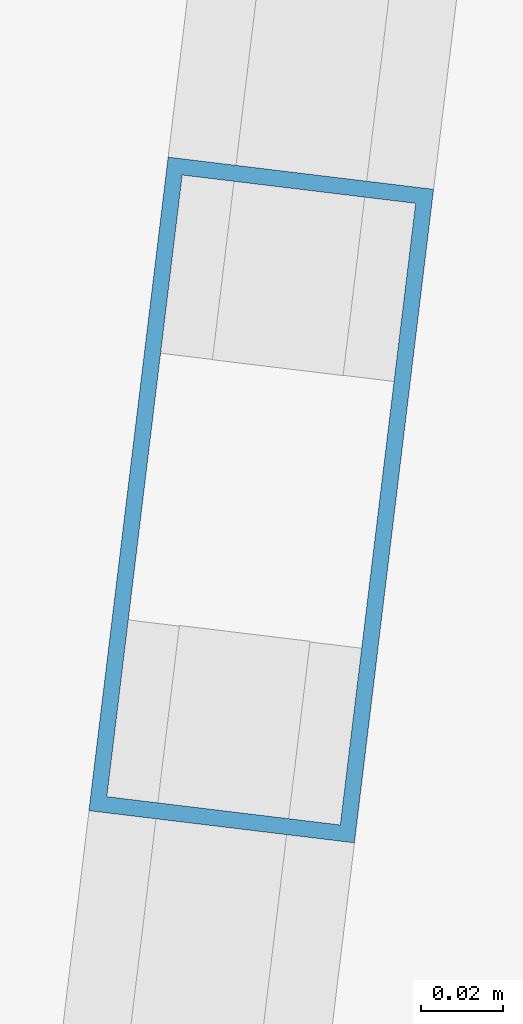
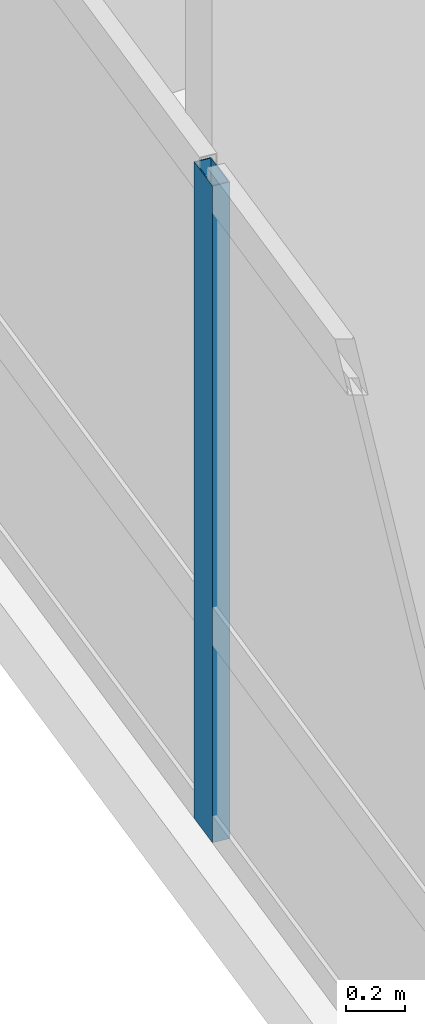
# One storey, part 4 of 26: 1 member, 1 element without a shape of its own.
"""IFC4 building model written with IfcOpenShell, lengths in metres."""

import ifcopenshell
import ifcopenshell.guid

model = None  # the IFC model being written
_history = None  # IfcOwnerHistory: only IFC2X3 demands one
_inside = {}  # id of a spatial element -> (the spatial element, [elements in it])
_under = {}  # id of a project, library or spatial element -> (it, [spatial elements below it])
_declared = {}  # id of a project -> (the project, [libraries it declares])
_typed = {}  # id of a type object -> (the type object, [elements of that type])
_made_of = {}  # id of a material, layer set ... -> (it, [elements and type objects made of it])


def new_model(schema):
    """Start an empty IFC model of exactly this schema.

    Asked for "IFC4X3", IfcOpenShell would pick the latest addendum, in which some entities
    have other attributes; the version numbers below select the first issue.
    IFC2X3 requires an IfcOwnerHistory on every rooted entity: one is made here for all.
    """
    global model, _history
    if schema == "IFC4X3":
        model = ifcopenshell.file(schema_version=(4, 3, 0, 0))
    else:
        model = ifcopenshell.file(schema=schema)
    _inside.clear()
    _under.clear()
    _declared.clear()
    _typed.clear()
    _made_of.clear()
    _history = None
    if model.schema == "IFC2X3":
        org = make("IfcOrganization", Name="unknown")
        user = make(
            "IfcPersonAndOrganization",
            ThePerson=make("IfcPerson", FamilyName="unknown"),
            TheOrganization=org,
        )
        app = make(
            "IfcApplication",
            ApplicationDeveloper=org,
            Version="unknown",
            ApplicationFullName="unknown",
            ApplicationIdentifier="unknown",
        )
        _history = make(
            "IfcOwnerHistory",
            OwningUser=user,
            OwningApplication=app,
            ChangeAction="ADDED",
            CreationDate=0,
        )
    return model


def make(cls, **values):
    """One entity of the class cls with the attributes given. An attribute that is None is left unset."""
    return model.create_entity(
        cls, **{name: value for name, value in values.items() if value is not None}
    )


def rooted(cls, **values):
    """An entity with a GlobalId (a new one), such as an element, a storey or a relation."""
    return make(cls, GlobalId=ifcopenshell.guid.new(), OwnerHistory=_history, **values)


def si_unit(unit_type, name, prefix=None):
    """IfcSIUnit, for example si_unit("LENGTHUNIT", "METRE", prefix="MILLI")."""
    return make("IfcSIUnit", UnitType=unit_type, Prefix=prefix, Name=name)


def assignment(units):
    """IfcUnitAssignment: the units of a project."""
    return None if units is None else make("IfcUnitAssignment", Units=units)


def point(xyz):
    """IfcCartesianPoint."""
    return None if xyz is None else make("IfcCartesianPoint", Coordinates=xyz)


def direction(xyz):
    """IfcDirection."""
    return None if xyz is None else make("IfcDirection", DirectionRatios=xyz)


def frame(location, z_axis=None, x_axis=None):
    """IfcAxis2Placement3D, a coordinate frame: its origin and axes. An axis left out is left unset."""
    return make(
        "IfcAxis2Placement3D",
        Location=point(location),
        Axis=direction(z_axis),
        RefDirection=direction(x_axis),
    )


def frame_2d(location, x_axis=None):
    """IfcAxis2Placement2D, a coordinate frame in the plane: its origin and x axis."""
    return make(
        "IfcAxis2Placement2D", Location=point(location), RefDirection=direction(x_axis)
    )


def origin():
    """The frame at (0, 0, 0) with its axes left unset."""
    return frame((0.0, 0.0, 0.0))


def origin_2d():
    """The frame at (0, 0) in the plane with its x axis left unset."""
    return frame_2d((0.0, 0.0))


def place(relative_to, where):
    """IfcLocalPlacement: puts the frame where relative to a parent placement (None: the world)."""
    return make(
        "IfcLocalPlacement", PlacementRelTo=relative_to, RelativePlacement=where
    )


def context(
    kind, dimensions, precision=None, world=None, true_north=None, identifier=None
):
    """IfcGeometricRepresentationContext, for example the 3D "Model" context."""
    return make(
        "IfcGeometricRepresentationContext",
        ContextIdentifier=identifier,
        ContextType=kind,
        CoordinateSpaceDimension=dimensions,
        Precision=precision,
        WorldCoordinateSystem=world,
        TrueNorth=true_north,
    )


def subcontext(parent, identifier, kind, view, scale=None):
    """IfcGeometricRepresentationSubContext, for example "Body" below "Model"."""
    return make(
        "IfcGeometricRepresentationSubContext",
        ContextIdentifier=identifier,
        ContextType=kind,
        ParentContext=parent,
        TargetScale=scale,
        TargetView=view,
    )


def project(units=None, contexts=None):
    """IfcProject with its units and contexts."""
    return rooted(
        "IfcProject",
        Name="project",
        RepresentationContexts=contexts,
        UnitsInContext=assignment(units),
    )


def spatial(cls, under=None, at=None, **own):
    """A site, building, storey or space (cls), placed at a placement, below another one or the project."""
    s = rooted(cls, ObjectPlacement=at, **own)
    if under is not None:
        _under.setdefault(under.id(), (under, []))[1].append(s)
    return s


def profile(cls, at=None, kind="AREA", **sizes):
    """A parametric profile (cls). Its sizes go by their IFC names, for example OverallWidth=200.0."""
    return make(cls, ProfileType=kind, Position=at, **sizes)


def hollow_rectangle(**sizes):
    """IfcRectangleHollowProfileDef."""
    return profile("IfcRectangleHollowProfileDef", **sizes)


def extrude(swept, where, along, depth):
    """IfcExtrudedAreaSolid: the profile swept, set in the frame where, extruded along a direction by depth."""
    return make(
        "IfcExtrudedAreaSolid",
        SweptArea=swept,
        Position=where,
        ExtrudedDirection=direction(along),
        Depth=depth,
    )


def shape(context_of_items, identifier, shape_type, items):
    """IfcShapeRepresentation: the items that make up one representation, for example the "Body"."""
    return make(
        "IfcShapeRepresentation",
        ContextOfItems=context_of_items,
        RepresentationIdentifier=identifier,
        RepresentationType=shape_type,
        Items=items,
    )


def material(Name=None, Category=None):
    """IfcMaterial."""
    return make("IfcMaterial", Name=Name, Category=Category)


def layer(
    of_material, thickness, ventilated=None, Name=None, Category=None, Priority=None
):
    """IfcMaterialLayer: one layer of a wall or slab, of a material (None: an air gap)."""
    return make(
        "IfcMaterialLayer",
        Material=of_material,
        LayerThickness=thickness,
        IsVentilated=ventilated,
        Name=Name,
        Category=Category,
        Priority=Priority,
    )


def layer_set(layers, Name=None):
    """IfcMaterialLayerSet."""
    return make("IfcMaterialLayerSet", MaterialLayers=layers, LayerSetName=Name)


def material_profile(
    of_material, cross_section, Name=None, Category=None, Priority=None
):
    """IfcMaterialProfile: a cross section and its material."""
    return make(
        "IfcMaterialProfile",
        Name=Name,
        Material=of_material,
        Profile=cross_section,
        Priority=Priority,
        Category=Category,
    )


def profile_set(profiles, Name=None, composite=None):
    """IfcMaterialProfileSet."""
    return make(
        "IfcMaterialProfileSet",
        Name=Name,
        MaterialProfiles=profiles,
        CompositeProfile=composite,
    )


def made_of(thing, what):
    """Note that an element or type object is made of a material, layer set ...; save() writes the relation."""
    if what is not None:
        _made_of.setdefault(what.id(), (what, []))[1].append(thing)
    return thing


def type_object(cls, material=None, **own):
    """A type object (cls), such as IfcWallType, which elements share."""
    return made_of(rooted(cls, **own), material)


def element(
    cls,
    number,
    at=None,
    inside=None,
    cuts=None,
    type_object=None,
    material=None,
    context=None,
    identifier="Body",
    shape_type=None,
    held_by="IfcProductDefinitionShape",
    body=None,
    shapes=None,
    **own,
):
    """One element of the class cls, such as IfcWall. Its Tag is "e" and its number.

    at: its placement. inside: the storey or other place that contains it. cuts: it is an
    opening in that element (IfcRelVoidsElement). A single representation is given by context,
    identifier, shape_type and body (its items); several are given by shapes. held_by: the class
    of the entity that holds the representations. save() writes the other relations.
    """
    e = rooted(cls, Tag="e%d" % number, ObjectPlacement=at, **own)
    if body is not None:
        shapes = [shape(context, identifier, shape_type, body)]
    if shapes is not None:
        e.Representation = make(held_by, Representations=shapes)
    if inside is not None:
        _inside.setdefault(inside.id(), (inside, []))[1].append(e)
    if cuts is not None:
        rooted(
            "IfcRelVoidsElement", RelatingBuildingElement=cuts, RelatedOpeningElement=e
        )
    if type_object is not None:
        _typed.setdefault(type_object.id(), (type_object, []))[1].append(e)
    return made_of(e, material)


def aggregate(whole, parts):
    """IfcRelAggregates: a whole, such as a stair, and the parts it consists of."""
    return rooted("IfcRelAggregates", RelatingObject=whole, RelatedObjects=parts)


def save(model, path):
    """Write the relations noted so far, then the file.

    IfcRelAggregates (storeys below a building ...), IfcRelContainedInSpatialStructure (elements
    in a storey), IfcRelDefinesByType, IfcRelAssociatesMaterial and IfcRelDeclares: one each for
    every whole, place, type object, material and project.
    """
    for whole, parts in _under.values():
        aggregate(whole, parts)
    for where, things in _inside.values():
        rooted(
            "IfcRelContainedInSpatialStructure",
            RelatedElements=things,
            RelatingStructure=where,
        )
    for kind, things in _typed.values():
        rooted("IfcRelDefinesByType", RelatedObjects=things, RelatingType=kind)
    for what, things in _made_of.values():
        rooted("IfcRelAssociatesMaterial", RelatedObjects=things, RelatingMaterial=what)
    for by, libraries in _declared.values():
        rooted("IfcRelDeclares", RelatingContext=by, RelatedDefinitions=libraries)
    model.write(path)


model = new_model("IFC4")

# Units and contexts
model_context = context("Model", 3, precision=1e-05, world=origin(), true_north=direction((0.0, 1.0)))
body_context = subcontext(model_context, "Body", "Model", "MODEL_VIEW")
ifc_project = project(units=[si_unit("LENGTHUNIT", "METRE"), si_unit("AREAUNIT", "SQUARE_METRE"), si_unit("VOLUMEUNIT", "CUBIC_METRE"), si_unit("PLANEANGLEUNIT", "RADIAN"), si_unit("MASSUNIT", "GRAM", prefix="KILO")], contexts=[model_context])

# Site, building, storey
site_placement = place(None, origin())
site = spatial("IfcSite", under=ifc_project, at=site_placement, CompositionType="ELEMENT")
building_placement = place(site_placement, origin())
building = spatial("IfcBuilding", under=site, at=building_placement, Name="Varnelok Gate Tower", CompositionType="ELEMENT")
storey_placement = place(building_placement, frame((0.0, 0.0, 143.89990234375)))
storey = spatial("IfcBuildingStorey", under=building, at=storey_placement, Name="L36", CompositionType="ELEMENT", Elevation=143.89990234375)

# Curtain wall, member
ifc_material = material(Name="Anodized Aluminum Alloy 6063-T6", Category="aluminium")
ifc_layer = layer(ifc_material, 0.179931640625)
ifc_layer_set = layer_set([ifc_layer], Name="Anodized Aluminum Alloy 6063-T6")
curtain_wall_type = type_object("IfcCurtainWallType", Name="CW3-HOTEL-VISION", PredefinedType="USERDEFINED", material=ifc_layer_set)
curtain_wall_placement = place(storey_placement, origin())
curtain_wall = element("IfcCurtainWall", 1, at=curtain_wall_placement, inside=storey, type_object=curtain_wall_type, Name="L36 West End Vision Curtain Wall", ObjectType="UNITISED CURTAIN WALL", PredefinedType="USERDEFINED")
ifc_material_profile = material_profile(ifc_material, hollow_rectangle(XDim=0.06494140625, YDim=0.159912109375, WallThickness=0.00390625, at=origin_2d()), Name="ALU160X65X4")
ifc_profile_set = profile_set([ifc_material_profile], Name="Anodized Aluminum Alloy 6063-T6")
member_type = type_object("IfcMemberType", Name="CW-MULL-160", PredefinedType="MULLION", material=ifc_profile_set)
member_placement = place(storey_placement, frame((1.109619140625, 19.03857421875, 0.0), z_axis=(0.0, 0.0, 1.0), x_axis=(-0.99273188146, 0.120347046212, 0.0)))
member = element("IfcMember", 2, at=member_placement, type_object=member_type, Name="CW3 mullion 2", PredefinedType="MULLION", context=body_context, shape_type="SweptSolid", body=[
    extrude(hollow_rectangle(XDim=0.06494140625, YDim=0.159912109375, WallThickness=0.00390625, at=origin_2d()), origin(), (0.0, 0.0, 1.0), 2.72998046875),
])
aggregate(curtain_wall, [member])

save(model, "model.ifc")
